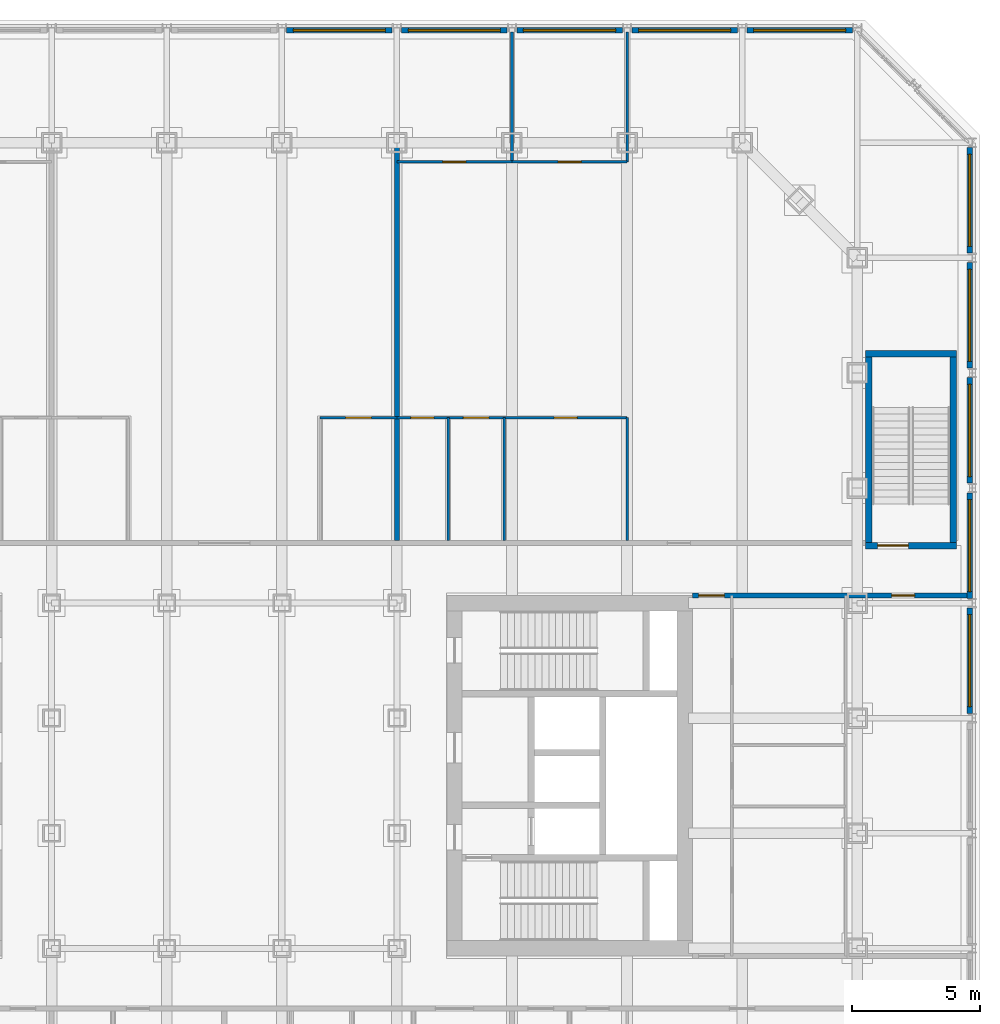
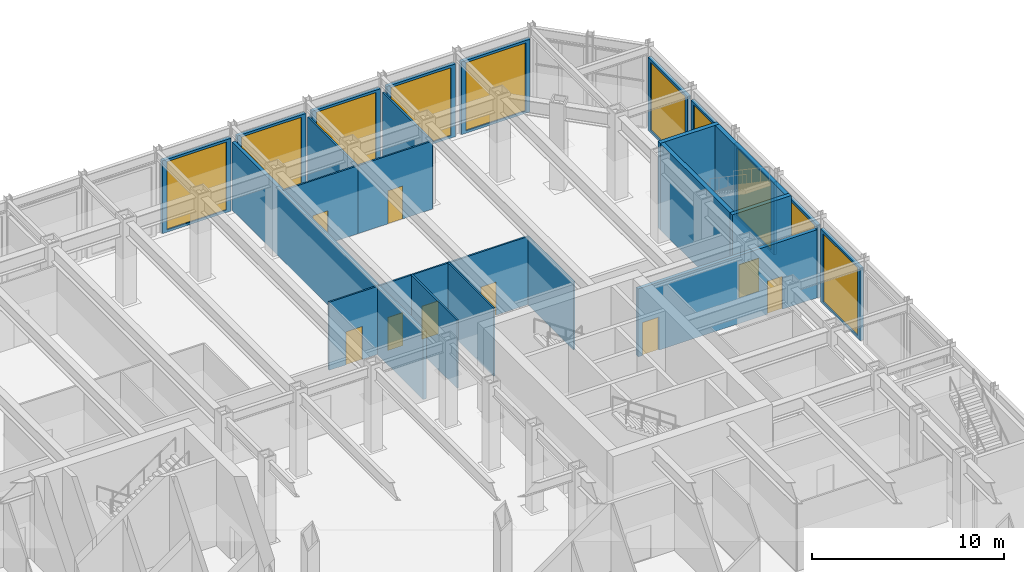
# One storey, part 15 of 19: 25 walls, 10 windows, 9 doors, 19 openings.
"""IFC4 building model written with IfcOpenShell, lengths in metres."""

from ifc_helpers import new_model, si_unit, direction, frame, frame_2d, origin, place, context, subcontext, project, spatial, rectangle, extrude, material, layer, layer_set, type_object, element, fill, save


model = new_model("IFC4")

# Units and contexts
model_context = context("Model", 3, precision=1e-05, world=origin(), true_north=direction((0.0, 1.0)))
body_context = subcontext(model_context, "Body", "Model", "MODEL_VIEW")
ifc_project = project(units=[si_unit("LENGTHUNIT", "METRE"), si_unit("AREAUNIT", "SQUARE_METRE"), si_unit("VOLUMEUNIT", "CUBIC_METRE"), si_unit("PLANEANGLEUNIT", "RADIAN"), si_unit("MASSUNIT", "GRAM", prefix="KILO")], contexts=[model_context])

# Site, building, storey
site_placement = place(None, origin())
site = spatial("IfcSite", under=ifc_project, at=site_placement, CompositionType="ELEMENT")
building_placement = place(site_placement, origin())
building = spatial("IfcBuilding", under=site, at=building_placement, Name="Msasa Ring Tower", CompositionType="ELEMENT")
storey_placement = place(building_placement, frame((0.0, 0.0, 16.0)))
storey = spatial("IfcBuildingStorey", under=building, at=storey_placement, Name="L03", CompositionType="ELEMENT", Elevation=16.0)

# Wall, opening, window
ifc_material_1 = material(Name="Terracotta rainscreen on blockwork", Category="masonry")
ifc_layer_1 = layer(ifc_material_1, 0.199951171875)
ifc_layer_set_1 = layer_set([ifc_layer_1], Name="FW2 TERRACOTTA PODIUM BAY WALL 200")
wall_type_1 = type_object("IfcWallType", Name="FW2 TERRACOTTA PODIUM BAY WALL 200", PredefinedType="SOLIDWALL", material=ifc_layer_set_1)
wall_1_placement = place(storey_placement, frame((29.14990234375, 2.437744140625, 0.0), z_axis=(0.0, 0.0, 1.0), x_axis=(0.0, 1.0, 0.0)))
wall_1 = element("IfcWall", 1, at=wall_1_placement, inside=storey, type_object=wall_type_1, Name="Podium bay wall E L03 19", PredefinedType="SOLIDWALL", context=body_context, shape_type="SweptSolid", body=[
    extrude(rectangle(XDim=4.124755859375, YDim=0.199951171875, at=frame_2d((2.0625, 0.0))), origin(), (0.0, 0.0, 1.0), 4.6328125),
])
opening_1_placement = place(wall_1_placement, frame((0.26220703125, 0.0, 0.14990234375)))
opening_1 = element("IfcOpeningElement", 2, at=opening_1_placement, cuts=wall_1, Name="Opening SF4", PredefinedType="OPENING", context=body_context, shape_type="SweptSolid", body=[
    extrude(rectangle(XDim=3.60009765625, YDim=4.3330078125, at=frame_2d((1.800048828125, 2.16650390625))), frame((0.0, 0.10986328125, 0.0), z_axis=(0.0, -1.0, 0.0), x_axis=(1.0, 0.0, 0.0)), (0.0, 0.0, 1.0), 0.219970703125),
])
ifc_material_2 = material(Name="Aluminium frame with clear glass", Category="aluminium")
window_type = type_object("IfcWindowType", Name="SF4 SHOPFRONT GLAZING 3600x4333", PartitioningType="SINGLE_PANEL", PredefinedType="WINDOW", material=ifc_material_2)
window_1_placement = place(opening_1_placement, origin())
window_1 = element("IfcWindow", 3, at=window_1_placement, inside=storey, type_object=window_type, Name="Shopfront glazing E L03 19", OverallHeight=4.3330078125, OverallWidth=3.60009765625, PartitioningType="SINGLE_PANEL", PredefinedType="WINDOW", context=body_context, shape_type="SweptSolid", body=[
    extrude(rectangle(XDim=3.60009765625, YDim=4.3330078125, at=frame_2d((1.800048828125, 2.16650390625))), frame((0.0, 0.030029296875, 0.0), z_axis=(0.0, -1.0, 0.0), x_axis=(1.0, 0.0, 0.0)), (0.0, 0.0, 1.0), 0.06005859375),
])
fill(opening_1, window_1)

wall_2_placement = place(storey_placement, frame((29.14990234375, 6.9375, 0.0), z_axis=(0.0, 0.0, 1.0), x_axis=(0.0, 1.0, 0.0)))
wall_2 = element("IfcWall", 4, at=wall_2_placement, inside=storey, type_object=wall_type_1, Name="Podium bay wall E L03 20", PredefinedType="SOLIDWALL", context=body_context, shape_type="SweptSolid", body=[
    extrude(rectangle(XDim=4.125, YDim=0.199951171875, at=frame_2d((2.0625, 0.0))), origin(), (0.0, 0.0, 1.0), 4.6328125),
])
opening_2_placement = place(wall_2_placement, frame((0.262451171875, 0.0, 0.14990234375)))
opening_2 = element("IfcOpeningElement", 5, at=opening_2_placement, cuts=wall_2, Name="Opening SF4", PredefinedType="OPENING", context=body_context, shape_type="SweptSolid", body=[
    extrude(rectangle(XDim=3.60009765625, YDim=4.3330078125, at=frame_2d((1.800048828125, 2.16650390625))), frame((0.0, 0.10986328125, 0.0), z_axis=(0.0, -1.0, 0.0), x_axis=(1.0, 0.0, 0.0)), (0.0, 0.0, 1.0), 0.219970703125),
])
window_2_placement = place(opening_2_placement, origin())
window_2 = element("IfcWindow", 6, at=window_2_placement, inside=storey, type_object=window_type, Name="Shopfront glazing E L03 20", OverallHeight=4.3330078125, OverallWidth=3.60009765625, PartitioningType="SINGLE_PANEL", PredefinedType="WINDOW", context=body_context, shape_type="SweptSolid", body=[
    extrude(rectangle(XDim=3.60009765625, YDim=4.3330078125, at=frame_2d((1.800048828125, 2.16650390625))), frame((0.0, 0.030029296875, 0.0), z_axis=(0.0, -1.0, 0.0), x_axis=(1.0, 0.0, 0.0)), (0.0, 0.0, 1.0), 0.06005859375),
])
fill(opening_2, window_2)

wall_3_placement = place(storey_placement, frame((29.14990234375, 11.4375, 0.0), z_axis=(0.0, 0.0, 1.0), x_axis=(0.0, 1.0, 0.0)))
wall_3 = element("IfcWall", 7, at=wall_3_placement, inside=storey, type_object=wall_type_1, Name="Podium bay wall E L03 21", PredefinedType="SOLIDWALL", context=body_context, shape_type="SweptSolid", body=[
    extrude(rectangle(XDim=4.125, YDim=0.199951171875, at=frame_2d((2.0625, 0.0))), origin(), (0.0, 0.0, 1.0), 4.6328125),
])
opening_3_placement = place(wall_3_placement, frame((0.262451171875, 0.0, 0.14990234375)))
opening_3 = element("IfcOpeningElement", 8, at=opening_3_placement, cuts=wall_3, Name="Opening SF4", PredefinedType="OPENING", context=body_context, shape_type="SweptSolid", body=[
    extrude(rectangle(XDim=3.60009765625, YDim=4.3330078125, at=frame_2d((1.800048828125, 2.16650390625))), frame((0.0, 0.10986328125, 0.0), z_axis=(0.0, -1.0, 0.0), x_axis=(1.0, 0.0, 0.0)), (0.0, 0.0, 1.0), 0.219970703125),
])
window_3_placement = place(opening_3_placement, origin())
window_3 = element("IfcWindow", 9, at=window_3_placement, inside=storey, type_object=window_type, Name="Shopfront glazing E L03 21", OverallHeight=4.3330078125, OverallWidth=3.60009765625, PartitioningType="SINGLE_PANEL", PredefinedType="WINDOW", context=body_context, shape_type="SweptSolid", body=[
    extrude(rectangle(XDim=3.60009765625, YDim=4.3330078125, at=frame_2d((1.800048828125, 2.16650390625))), frame((0.0, 0.030029296875, 0.0), z_axis=(0.0, -1.0, 0.0), x_axis=(1.0, 0.0, 0.0)), (0.0, 0.0, 1.0), 0.06005859375),
])
fill(opening_3, window_3)

wall_4_placement = place(storey_placement, frame((29.14990234375, 15.9375, 0.0), z_axis=(0.0, 0.0, 1.0), x_axis=(0.0, 1.0, 0.0)))
wall_4 = element("IfcWall", 10, at=wall_4_placement, inside=storey, type_object=wall_type_1, Name="Podium bay wall E L03 22", PredefinedType="SOLIDWALL", context=body_context, shape_type="SweptSolid", body=[
    extrude(rectangle(XDim=4.124755859375, YDim=0.199951171875, at=frame_2d((2.0625, 0.0))), origin(), (0.0, 0.0, 1.0), 4.6328125),
])
opening_4_placement = place(wall_4_placement, frame((0.262451171875, 0.0, 0.14990234375)))
opening_4 = element("IfcOpeningElement", 11, at=opening_4_placement, cuts=wall_4, Name="Opening SF4", PredefinedType="OPENING", context=body_context, shape_type="SweptSolid", body=[
    extrude(rectangle(XDim=3.60009765625, YDim=4.3330078125, at=frame_2d((1.800048828125, 2.16650390625))), frame((0.0, 0.10986328125, 0.0), z_axis=(0.0, -1.0, 0.0), x_axis=(1.0, 0.0, 0.0)), (0.0, 0.0, 1.0), 0.219970703125),
])
window_4_placement = place(opening_4_placement, origin())
window_4 = element("IfcWindow", 12, at=window_4_placement, inside=storey, type_object=window_type, Name="Shopfront glazing E L03 22", OverallHeight=4.3330078125, OverallWidth=3.60009765625, PartitioningType="SINGLE_PANEL", PredefinedType="WINDOW", context=body_context, shape_type="SweptSolid", body=[
    extrude(rectangle(XDim=3.60009765625, YDim=4.3330078125, at=frame_2d((1.800048828125, 2.16650390625))), frame((0.0, 0.030029296875, 0.0), z_axis=(0.0, -1.0, 0.0), x_axis=(1.0, 0.0, 0.0)), (0.0, 0.0, 1.0), 0.06005859375),
])
fill(opening_4, window_4)

wall_5_placement = place(storey_placement, frame((29.14990234375, 20.437744140625, 0.0), z_axis=(0.0, 0.0, 1.0), x_axis=(0.0, 1.0, 0.0)))
wall_5 = element("IfcWall", 13, at=wall_5_placement, inside=storey, type_object=wall_type_1, Name="Podium bay wall E L03 23", PredefinedType="SOLIDWALL", context=body_context, shape_type="SweptSolid", body=[
    extrude(rectangle(XDim=4.12451171875, YDim=0.199951171875, at=frame_2d((2.062255859375, 0.0))), origin(), (0.0, 0.0, 1.0), 4.6328125),
])
opening_5_placement = place(wall_5_placement, frame((0.26220703125, 0.0, 0.14990234375)))
opening_5 = element("IfcOpeningElement", 14, at=opening_5_placement, cuts=wall_5, Name="Opening SF4", PredefinedType="OPENING", context=body_context, shape_type="SweptSolid", body=[
    extrude(rectangle(XDim=3.60009765625, YDim=4.3330078125, at=frame_2d((1.800048828125, 2.16650390625))), frame((0.0, 0.10986328125, 0.0), z_axis=(0.0, -1.0, 0.0), x_axis=(1.0, 0.0, 0.0)), (0.0, 0.0, 1.0), 0.219970703125),
])
window_5_placement = place(opening_5_placement, origin())
window_5 = element("IfcWindow", 15, at=window_5_placement, inside=storey, type_object=window_type, Name="Shopfront glazing E L03 23", OverallHeight=4.3330078125, OverallWidth=3.60009765625, PartitioningType="SINGLE_PANEL", PredefinedType="WINDOW", context=body_context, shape_type="SweptSolid", body=[
    extrude(rectangle(XDim=3.60009765625, YDim=4.3330078125, at=frame_2d((1.800048828125, 2.16650390625))), frame((0.0, 0.030029296875, 0.0), z_axis=(0.0, -1.0, 0.0), x_axis=(1.0, 0.0, 0.0)), (0.0, 0.0, 1.0), 0.06005859375),
])
fill(opening_5, window_5)

wall_6_placement = place(storey_placement, frame((2.437744140625, 29.14990234375, 0.0), z_axis=(0.0, 0.0, 1.0), x_axis=(1.0, 0.0, 0.0)))
wall_6 = element("IfcWall", 16, at=wall_6_placement, inside=storey, type_object=wall_type_1, Name="Podium bay wall N L03 32", PredefinedType="SOLIDWALL", context=body_context, shape_type="SweptSolid", body=[
    extrude(rectangle(XDim=4.124755859375, YDim=0.199951171875, at=frame_2d((2.0625, 0.0))), origin(), (0.0, 0.0, 1.0), 4.6328125),
])
opening_6_placement = place(wall_6_placement, frame((0.26220703125, 0.0, 0.14990234375)))
opening_6 = element("IfcOpeningElement", 17, at=opening_6_placement, cuts=wall_6, Name="Opening SF4", PredefinedType="OPENING", context=body_context, shape_type="SweptSolid", body=[
    extrude(rectangle(XDim=3.60009765625, YDim=4.3330078125, at=frame_2d((1.800048828125, 2.16650390625))), frame((0.0, 0.10986328125, 0.0), z_axis=(0.0, -1.0, 0.0), x_axis=(1.0, 0.0, 0.0)), (0.0, 0.0, 1.0), 0.219970703125),
])
window_6_placement = place(opening_6_placement, origin())
window_6 = element("IfcWindow", 18, at=window_6_placement, inside=storey, type_object=window_type, Name="Shopfront glazing N L03 32", OverallHeight=4.3330078125, OverallWidth=3.60009765625, PartitioningType="SINGLE_PANEL", PredefinedType="WINDOW", context=body_context, shape_type="SweptSolid", body=[
    extrude(rectangle(XDim=3.60009765625, YDim=4.3330078125, at=frame_2d((1.800048828125, 2.16650390625))), frame((0.0, 0.030029296875, 0.0), z_axis=(0.0, -1.0, 0.0), x_axis=(1.0, 0.0, 0.0)), (0.0, 0.0, 1.0), 0.06005859375),
])
fill(opening_6, window_6)

wall_7_placement = place(storey_placement, frame((6.9375, 29.14990234375, 0.0), z_axis=(0.0, 0.0, 1.0), x_axis=(1.0, 0.0, 0.0)))
wall_7 = element("IfcWall", 19, at=wall_7_placement, inside=storey, type_object=wall_type_1, Name="Podium bay wall N L03 33", PredefinedType="SOLIDWALL", context=body_context, shape_type="SweptSolid", body=[
    extrude(rectangle(XDim=4.125, YDim=0.199951171875, at=frame_2d((2.0625, 0.0))), origin(), (0.0, 0.0, 1.0), 4.6328125),
])
opening_7_placement = place(wall_7_placement, frame((0.262451171875, 0.0, 0.14990234375)))
opening_7 = element("IfcOpeningElement", 20, at=opening_7_placement, cuts=wall_7, Name="Opening SF4", PredefinedType="OPENING", context=body_context, shape_type="SweptSolid", body=[
    extrude(rectangle(XDim=3.60009765625, YDim=4.3330078125, at=frame_2d((1.800048828125, 2.16650390625))), frame((0.0, 0.10986328125, 0.0), z_axis=(0.0, -1.0, 0.0), x_axis=(1.0, 0.0, 0.0)), (0.0, 0.0, 1.0), 0.219970703125),
])
window_7_placement = place(opening_7_placement, origin())
window_7 = element("IfcWindow", 21, at=window_7_placement, inside=storey, type_object=window_type, Name="Shopfront glazing N L03 33", OverallHeight=4.3330078125, OverallWidth=3.60009765625, PartitioningType="SINGLE_PANEL", PredefinedType="WINDOW", context=body_context, shape_type="SweptSolid", body=[
    extrude(rectangle(XDim=3.60009765625, YDim=4.3330078125, at=frame_2d((1.800048828125, 2.16650390625))), frame((0.0, 0.030029296875, 0.0), z_axis=(0.0, -1.0, 0.0), x_axis=(1.0, 0.0, 0.0)), (0.0, 0.0, 1.0), 0.06005859375),
])
fill(opening_7, window_7)

wall_8_placement = place(storey_placement, frame((11.4375, 29.14990234375, 0.0), z_axis=(0.0, 0.0, 1.0), x_axis=(1.0, 0.0, 0.0)))
wall_8 = element("IfcWall", 22, at=wall_8_placement, inside=storey, type_object=wall_type_1, Name="Podium bay wall N L03 34", PredefinedType="SOLIDWALL", context=body_context, shape_type="SweptSolid", body=[
    extrude(rectangle(XDim=4.125, YDim=0.199951171875, at=frame_2d((2.0625, 0.0))), origin(), (0.0, 0.0, 1.0), 4.6328125),
])
opening_8_placement = place(wall_8_placement, frame((0.262451171875, 0.0, 0.14990234375)))
opening_8 = element("IfcOpeningElement", 23, at=opening_8_placement, cuts=wall_8, Name="Opening SF4", PredefinedType="OPENING", context=body_context, shape_type="SweptSolid", body=[
    extrude(rectangle(XDim=3.60009765625, YDim=4.3330078125, at=frame_2d((1.800048828125, 2.16650390625))), frame((0.0, 0.10986328125, 0.0), z_axis=(0.0, -1.0, 0.0), x_axis=(1.0, 0.0, 0.0)), (0.0, 0.0, 1.0), 0.219970703125),
])
window_8_placement = place(opening_8_placement, origin())
window_8 = element("IfcWindow", 24, at=window_8_placement, inside=storey, type_object=window_type, Name="Shopfront glazing N L03 34", OverallHeight=4.3330078125, OverallWidth=3.60009765625, PartitioningType="SINGLE_PANEL", PredefinedType="WINDOW", context=body_context, shape_type="SweptSolid", body=[
    extrude(rectangle(XDim=3.60009765625, YDim=4.3330078125, at=frame_2d((1.800048828125, 2.16650390625))), frame((0.0, 0.030029296875, 0.0), z_axis=(0.0, -1.0, 0.0), x_axis=(1.0, 0.0, 0.0)), (0.0, 0.0, 1.0), 0.06005859375),
])
fill(opening_8, window_8)

wall_9_placement = place(storey_placement, frame((15.9375, 29.14990234375, 0.0), z_axis=(0.0, 0.0, 1.0), x_axis=(1.0, 0.0, 0.0)))
wall_9 = element("IfcWall", 25, at=wall_9_placement, inside=storey, type_object=wall_type_1, Name="Podium bay wall N L03 35", PredefinedType="SOLIDWALL", context=body_context, shape_type="SweptSolid", body=[
    extrude(rectangle(XDim=4.124755859375, YDim=0.199951171875, at=frame_2d((2.0625, 0.0))), origin(), (0.0, 0.0, 1.0), 4.6328125),
])
opening_9_placement = place(wall_9_placement, frame((0.262451171875, 0.0, 0.14990234375)))
opening_9 = element("IfcOpeningElement", 26, at=opening_9_placement, cuts=wall_9, Name="Opening SF4", PredefinedType="OPENING", context=body_context, shape_type="SweptSolid", body=[
    extrude(rectangle(XDim=3.60009765625, YDim=4.3330078125, at=frame_2d((1.800048828125, 2.16650390625))), frame((0.0, 0.10986328125, 0.0), z_axis=(0.0, -1.0, 0.0), x_axis=(1.0, 0.0, 0.0)), (0.0, 0.0, 1.0), 0.219970703125),
])
window_9_placement = place(opening_9_placement, origin())
window_9 = element("IfcWindow", 27, at=window_9_placement, inside=storey, type_object=window_type, Name="Shopfront glazing N L03 35", OverallHeight=4.3330078125, OverallWidth=3.60009765625, PartitioningType="SINGLE_PANEL", PredefinedType="WINDOW", context=body_context, shape_type="SweptSolid", body=[
    extrude(rectangle(XDim=3.60009765625, YDim=4.3330078125, at=frame_2d((1.800048828125, 2.16650390625))), frame((0.0, 0.030029296875, 0.0), z_axis=(0.0, -1.0, 0.0), x_axis=(1.0, 0.0, 0.0)), (0.0, 0.0, 1.0), 0.06005859375),
])
fill(opening_9, window_9)

wall_10_placement = place(storey_placement, frame((20.437744140625, 29.14990234375, 0.0), z_axis=(0.0, 0.0, 1.0), x_axis=(1.0, 0.0, 0.0)))
wall_10 = element("IfcWall", 28, at=wall_10_placement, inside=storey, type_object=wall_type_1, Name="Podium bay wall N L03 36", PredefinedType="SOLIDWALL", context=body_context, shape_type="SweptSolid", body=[
    extrude(rectangle(XDim=4.12451171875, YDim=0.199951171875, at=frame_2d((2.062255859375, 0.0))), origin(), (0.0, 0.0, 1.0), 4.6328125),
])
opening_10_placement = place(wall_10_placement, frame((0.26220703125, 0.0, 0.14990234375)))
opening_10 = element("IfcOpeningElement", 29, at=opening_10_placement, cuts=wall_10, Name="Opening SF4", PredefinedType="OPENING", context=body_context, shape_type="SweptSolid", body=[
    extrude(rectangle(XDim=3.60009765625, YDim=4.3330078125, at=frame_2d((1.800048828125, 2.16650390625))), frame((0.0, 0.10986328125, 0.0), z_axis=(0.0, -1.0, 0.0), x_axis=(1.0, 0.0, 0.0)), (0.0, 0.0, 1.0), 0.219970703125),
])
window_10_placement = place(opening_10_placement, origin())
window_10 = element("IfcWindow", 30, at=window_10_placement, inside=storey, type_object=window_type, Name="Shopfront glazing N L03 36", OverallHeight=4.3330078125, OverallWidth=3.60009765625, PartitioningType="SINGLE_PANEL", PredefinedType="WINDOW", context=body_context, shape_type="SweptSolid", body=[
    extrude(rectangle(XDim=3.60009765625, YDim=4.3330078125, at=frame_2d((1.800048828125, 2.16650390625))), frame((0.0, 0.030029296875, 0.0), z_axis=(0.0, -1.0, 0.0), x_axis=(1.0, 0.0, 0.0)), (0.0, 0.0, 1.0), 0.06005859375),
])
fill(opening_10, window_10)

# Wall, openings, doors
ifc_material_3 = material(Name="Concrete blockwork", Category="masonry")
ifc_layer_2 = layer(ifc_material_3, 0.199951171875)
ifc_layer_set_2 = layer_set([ifc_layer_2], Name="PT1 CORRIDOR WALL 200")
wall_type_2 = type_object("IfcWallType", Name="PT1 CORRIDOR WALL 200", PredefinedType="PARTITIONING", material=ifc_layer_set_2)
wall_11_placement = place(storey_placement, frame((18.300048828125, 7.050048828125, 0.0), z_axis=(0.0, 0.0, 1.0), x_axis=(1.0, 0.0, 0.0)))
wall_11 = element("IfcWall", 31, at=wall_11_placement, inside=storey, type_object=wall_type_2, Name="Corridor wall L03-STREN", PredefinedType="PARTITIONING", context=body_context, shape_type="SweptSolid", body=[
    extrude(rectangle(XDim=10.75, YDim=0.199951171875, at=frame_2d((5.375, 0.0))), origin(), (0.0, 0.0, 1.0), 4.3291015625),
])
opening_11_placement = place(wall_11_placement, frame((7.797607421875, 0.0, 0.0)))
opening_11 = element("IfcOpeningElement", 32, at=opening_11_placement, cuts=wall_11, Name="Opening L03-021", PredefinedType="OPENING", context=body_context, shape_type="SweptSolid", body=[
    extrude(rectangle(XDim=0.89990234375, YDim=2.10009765625, at=frame_2d((0.449951171875, 1.050048828125))), frame((0.0, 0.10986328125, 0.0), z_axis=(0.0, -1.0, 0.0), x_axis=(1.0, 0.0, 0.0)), (0.0, 0.0, 1.0), 0.219970703125),
])
opening_12_placement = place(wall_11_placement, frame((0.25, 0.0, 0.0)))
opening_12 = element("IfcOpeningElement", 33, at=opening_12_placement, cuts=wall_11, Name="Opening L03-020", PredefinedType="OPENING", context=body_context, shape_type="SweptSolid", body=[
    extrude(rectangle(XDim=1.0, YDim=2.10009765625, at=frame_2d((0.5, 1.050048828125))), frame((0.0, 0.10986328125, 0.0), z_axis=(0.0, -1.0, 0.0), x_axis=(1.0, 0.0, 0.0)), (0.0, 0.0, 1.0), 0.219970703125),
])
ifc_material_4 = material(Name="Timber door leaf in a steel frame", Category="steel")
door_type_1 = type_object("IfcDoorType", Name="D1 SINGLE DOOR TO CORRIDOR 900x2100", OperationType="SINGLE_SWING_LEFT", PredefinedType="DOOR", material=ifc_material_4)
door_1_placement = place(opening_11_placement, origin())
door_1 = element("IfcDoor", 34, at=door_1_placement, inside=storey, type_object=door_type_1, Name="Door L03-WOE", OperationType="SINGLE_SWING_RIGHT", OverallHeight=2.10009765625, OverallWidth=0.89990234375, PredefinedType="DOOR", context=body_context, shape_type="SweptSolid", body=[
    extrude(rectangle(XDim=0.89990234375, YDim=2.10009765625, at=frame_2d((0.449951171875, 1.050048828125))), frame((0.0, 0.02490234375, 0.0), z_axis=(0.0, -1.0, 0.0), x_axis=(1.0, 0.0, 0.0)), (0.0, 0.0, 1.0), 0.050048828125),
])
fill(opening_11, door_1)
ifc_material_5 = material(Name="Timber door leaf in a steel frame", Category="steel")
door_type_2 = type_object("IfcDoorType", Name="D12 WC DOOR 1000x2100", OperationType="SINGLE_SWING_LEFT", PredefinedType="DOOR", material=ifc_material_5)
door_2_placement = place(opening_12_placement, origin())
door_2 = element("IfcDoor", 35, at=door_2_placement, inside=storey, type_object=door_type_2, Name="Door L03-WLEN", OperationType="SINGLE_SWING_LEFT", OverallHeight=2.10009765625, OverallWidth=1.0, PredefinedType="DOOR", context=body_context, shape_type="SweptSolid", body=[
    extrude(rectangle(XDim=1.0, YDim=2.10009765625, at=frame_2d((0.5, 1.050048828125))), frame((0.0, 0.02490234375, 0.0), z_axis=(0.0, -1.0, 0.0), x_axis=(1.0, 0.0, 0.0)), (0.0, 0.0, 1.0), 0.050048828125),
])
fill(opening_12, door_2)

# Wall, opening, door
ifc_material_6 = material(Name="Gypsum board on steel studs", Category="steel")
ifc_layer_3 = layer(ifc_material_6, 0.10009765625)
ifc_layer_set_3 = layer_set([ifc_layer_3], Name="PT2 STUD PARTITION 100")
wall_type_3 = type_object("IfcWallType", Name="PT2 STUD PARTITION 100", PredefinedType="PARTITIONING", material=ifc_layer_set_3)
wall_12_placement = place(storey_placement, frame((3.75, 14.0, 0.0), z_axis=(0.0, 0.0, 1.0), x_axis=(1.0, 0.0, 0.0)))
wall_12 = element("IfcWall", 36, at=wall_12_placement, inside=storey, type_object=wall_type_3, Name="Partition L03-PDN1BY1", PredefinedType="PARTITIONING", context=body_context, shape_type="SweptSolid", body=[
    extrude(rectangle(XDim=3.0, YDim=0.10009765625, at=frame_2d((1.5, 0.0))), origin(), (0.0, 0.0, 1.0), 4.3291015625),
])
opening_13_placement = place(wall_12_placement, frame((1.0, 0.0, 0.0)))
opening_13 = element("IfcOpeningElement", 37, at=opening_13_placement, cuts=wall_12, Name="Opening L03-009", PredefinedType="OPENING", context=body_context, shape_type="SweptSolid", body=[
    extrude(rectangle(XDim=1.0, YDim=2.10009765625, at=frame_2d((0.5, 1.050048828125))), frame((0.0, 0.06005859375, 0.0), z_axis=(0.0, -1.0, 0.0), x_axis=(1.0, 0.0, 0.0)), (0.0, 0.0, 1.0), 0.1201171875),
])
ifc_material_7 = material(Name="Timber door leaf in a steel frame", Category="steel")
door_type_3 = type_object("IfcDoorType", Name="D27 INTERNAL STORE DOOR 1000x2100", OperationType="SINGLE_SWING_LEFT", PredefinedType="DOOR", material=ifc_material_7)
door_3_placement = place(opening_13_placement, origin())
door_3 = element("IfcDoor", 38, at=door_3_placement, inside=storey, type_object=door_type_3, Name="Door L03-PDN1B1", OperationType="SINGLE_SWING_LEFT", OverallHeight=2.10009765625, OverallWidth=1.0, PredefinedType="DOOR", context=body_context, shape_type="SweptSolid", body=[
    extrude(rectangle(XDim=1.0, YDim=2.10009765625, at=frame_2d((0.5, 1.050048828125))), frame((0.0, 0.02490234375, 0.0), z_axis=(0.0, -1.0, 0.0), x_axis=(1.0, 0.0, 0.0)), (0.0, 0.0, 1.0), 0.050048828125),
])
fill(opening_13, door_3)

# Wall, openings, doors
wall_13_placement = place(storey_placement, frame((6.75, 14.0, 0.0), z_axis=(0.0, 0.0, 1.0), x_axis=(1.0, 0.0, 0.0)))
wall_13 = element("IfcWall", 39, at=wall_13_placement, inside=storey, type_object=wall_type_3, Name="Partition L03-PDN2BY", PredefinedType="PARTITIONING", context=body_context, shape_type="SweptSolid", body=[
    extrude(rectangle(XDim=9.0, YDim=0.10009765625, at=frame_2d((4.5, 0.0))), origin(), (0.0, 0.0, 1.0), 4.3291015625),
])
opening_14_placement = place(wall_13_placement, frame((6.14990234375, 0.0, 0.0)))
opening_14 = element("IfcOpeningElement", 40, at=opening_14_placement, cuts=wall_13, Name="Opening L03-012", PredefinedType="OPENING", context=body_context, shape_type="SweptSolid", body=[
    extrude(rectangle(XDim=0.89990234375, YDim=2.10009765625, at=frame_2d((0.449951171875, 1.050048828125))), frame((0.0, 0.06005859375, 0.0), z_axis=(0.0, -1.0, 0.0), x_axis=(1.0, 0.0, 0.0)), (0.0, 0.0, 1.0), 0.1201171875),
])
opening_15_placement = place(wall_13_placement, frame((2.60009765625, 0.0, 0.0)))
opening_15 = element("IfcOpeningElement", 41, at=opening_15_placement, cuts=wall_13, Name="Opening L03-011", PredefinedType="OPENING", context=body_context, shape_type="SweptSolid", body=[
    extrude(rectangle(XDim=1.0, YDim=2.10009765625, at=frame_2d((0.5, 1.050048828125))), frame((0.0, 0.06005859375, 0.0), z_axis=(0.0, -1.0, 0.0), x_axis=(1.0, 0.0, 0.0)), (0.0, 0.0, 1.0), 0.1201171875),
])
opening_16_placement = place(wall_13_placement, frame((0.550048828125, 0.0, 0.0)))
opening_16 = element("IfcOpeningElement", 42, at=opening_16_placement, cuts=wall_13, Name="Opening L03-010", PredefinedType="OPENING", context=body_context, shape_type="SweptSolid", body=[
    extrude(rectangle(XDim=0.89990234375, YDim=2.10009765625, at=frame_2d((0.449951171875, 1.050048828125))), frame((0.0, 0.06005859375, 0.0), z_axis=(0.0, -1.0, 0.0), x_axis=(1.0, 0.0, 0.0)), (0.0, 0.0, 1.0), 0.1201171875),
])
ifc_material_8 = material(Name="Timber door leaf in a steel frame", Category="steel")
door_type_4 = type_object("IfcDoorType", Name="D22 INTERNAL HALL DOOR 900x2100", OperationType="SINGLE_SWING_LEFT", PredefinedType="DOOR", material=ifc_material_8)
door_4_placement = place(opening_14_placement, origin())
door_4 = element("IfcDoor", 43, at=door_4_placement, inside=storey, type_object=door_type_4, Name="Door L03-PDN2B0", OperationType="SINGLE_SWING_RIGHT", OverallHeight=2.10009765625, OverallWidth=0.89990234375, PredefinedType="DOOR", context=body_context, shape_type="SweptSolid", body=[
    extrude(rectangle(XDim=0.89990234375, YDim=2.10009765625, at=frame_2d((0.449951171875, 1.050048828125))), frame((0.0, 0.02490234375, 0.0), z_axis=(0.0, -1.0, 0.0), x_axis=(1.0, 0.0, 0.0)), (0.0, 0.0, 1.0), 0.050048828125),
])
fill(opening_14, door_4)
door_5_placement = place(opening_16_placement, origin())
door_5 = element("IfcDoor", 44, at=door_5_placement, inside=storey, type_object=door_type_4, Name="Door L03-PDN2B2", OperationType="SINGLE_SWING_LEFT", OverallHeight=2.10009765625, OverallWidth=0.89990234375, PredefinedType="DOOR", context=body_context, shape_type="SweptSolid", body=[
    extrude(rectangle(XDim=0.89990234375, YDim=2.10009765625, at=frame_2d((0.449951171875, 1.050048828125))), frame((0.0, 0.02490234375, 0.0), z_axis=(0.0, -1.0, 0.0), x_axis=(1.0, 0.0, 0.0)), (0.0, 0.0, 1.0), 0.050048828125),
])
fill(opening_16, door_5)
door_6_placement = place(opening_15_placement, origin())
door_6 = element("IfcDoor", 45, at=door_6_placement, inside=storey, type_object=door_type_3, Name="Door L03-PDN2B1", OperationType="SINGLE_SWING_LEFT", OverallHeight=2.10009765625, OverallWidth=1.0, PredefinedType="DOOR", context=body_context, shape_type="SweptSolid", body=[
    extrude(rectangle(XDim=1.0, YDim=2.10009765625, at=frame_2d((0.5, 1.050048828125))), frame((0.0, 0.02490234375, 0.0), z_axis=(0.0, -1.0, 0.0), x_axis=(1.0, 0.0, 0.0)), (0.0, 0.0, 1.0), 0.050048828125),
])
fill(opening_15, door_6)

# Walls
for number, where, z_axis, x_axis, name in (
    (46, (8.75, 9.199951171875, 0.0), (0.0, 0.0, 1.0), (0.0, 1.0, 0.0), "Partition L03-PDN2BX+8.75"),
    (47, (10.949951171875, 9.199951171875, 0.0), (0.0, 0.0, 1.0), (0.0, 1.0, 0.0), "Partition L03-PDN2BX+10.95"),
    (48, (15.75, 9.199951171875, 0.0), (0.0, 0.0, 1.0), (0.0, 1.0, 0.0), "Partition L03-PDN2BX+15.75"),
):
    element("IfcWall", number, at=place(storey_placement, frame(where, z_axis=z_axis, x_axis=x_axis)), inside=storey, type_object=wall_type_3, Name=name, PredefinedType="PARTITIONING", context=body_context, shape_type="SweptSolid", body=[
        extrude(rectangle(XDim=4.800048828125, YDim=0.10009765625, at=frame_2d((2.39990234375, 0.0))), origin(), (0.0, 0.0, 1.0), 4.3291015625),
    ])
for number, where, z_axis, x_axis, name in (
    (49, (11.25, 24.0, 0.0), (0.0, 0.0, 1.0), (0.0, 1.0, 0.0), "Partition L03-PDN2FX+11.25"),
    (50, (15.75, 24.0, 0.0), (0.0, 0.0, 1.0), (0.0, 1.0, 0.0), "Partition L03-PDN2FX+15.75"),
):
    element("IfcWall", number, at=place(storey_placement, frame(where, z_axis=z_axis, x_axis=x_axis)), inside=storey, type_object=wall_type_3, Name=name, PredefinedType="PARTITIONING", context=body_context, shape_type="SweptSolid", body=[
        extrude(rectangle(XDim=5.0888671875, YDim=0.10009765625, at=frame_2d((2.54443359375, 0.0))), origin(), (0.0, 0.0, 1.0), 4.3291015625),
    ])

# Wall, opening, door
wall_14_placement = place(storey_placement, frame((11.25, 24.0, 0.0), z_axis=(0.0, 0.0, 1.0), x_axis=(1.0, 0.0, 0.0)))
wall_14 = element("IfcWall", 51, at=wall_14_placement, inside=storey, type_object=wall_type_3, Name="Partition L03-PDN2FY0", PredefinedType="PARTITIONING", context=body_context, shape_type="SweptSolid", body=[
    extrude(rectangle(XDim=4.5, YDim=0.10009765625, at=frame_2d((2.25, 0.0))), origin(), (0.0, 0.0, 1.0), 4.3291015625),
])
opening_17_placement = place(wall_14_placement, frame((1.800048828125, 0.0, 0.0)))
opening_17 = element("IfcOpeningElement", 52, at=opening_17_placement, cuts=wall_14, Name="Opening L03-004", PredefinedType="OPENING", context=body_context, shape_type="SweptSolid", body=[
    extrude(rectangle(XDim=0.89990234375, YDim=2.10009765625, at=frame_2d((0.449951171875, 1.050048828125))), frame((0.0, 0.06005859375, 0.0), z_axis=(0.0, -1.0, 0.0), x_axis=(1.0, 0.0, 0.0)), (0.0, 0.0, 1.0), 0.1201171875),
])
door_7_placement = place(opening_17_placement, origin())
door_7 = element("IfcDoor", 53, at=door_7_placement, inside=storey, type_object=door_type_4, Name="Door L03-PDN2F0", OperationType="SINGLE_SWING_LEFT", OverallHeight=2.10009765625, OverallWidth=0.89990234375, PredefinedType="DOOR", context=body_context, shape_type="SweptSolid", body=[
    extrude(rectangle(XDim=0.89990234375, YDim=2.10009765625, at=frame_2d((0.449951171875, 1.050048828125))), frame((0.0, 0.02490234375, 0.0), z_axis=(0.0, -1.0, 0.0), x_axis=(1.0, 0.0, 0.0)), (0.0, 0.0, 1.0), 0.050048828125),
])
fill(opening_17, door_7)

wall_15_placement = place(storey_placement, frame((6.75, 24.0, 0.0), z_axis=(0.0, 0.0, 1.0), x_axis=(1.0, 0.0, 0.0)))
wall_15 = element("IfcWall", 54, at=wall_15_placement, inside=storey, type_object=wall_type_3, Name="Partition L03-PDN2FY1", PredefinedType="PARTITIONING", context=body_context, shape_type="SweptSolid", body=[
    extrude(rectangle(XDim=4.5, YDim=0.10009765625, at=frame_2d((2.25, 0.0))), origin(), (0.0, 0.0, 1.0), 4.3291015625),
])
opening_18_placement = place(wall_15_placement, frame((1.800048828125, 0.0, 0.0)))
opening_18 = element("IfcOpeningElement", 55, at=opening_18_placement, cuts=wall_15, Name="Opening L03-003", PredefinedType="OPENING", context=body_context, shape_type="SweptSolid", body=[
    extrude(rectangle(XDim=0.89990234375, YDim=2.10009765625, at=frame_2d((0.449951171875, 1.050048828125))), frame((0.0, 0.06005859375, 0.0), z_axis=(0.0, -1.0, 0.0), x_axis=(1.0, 0.0, 0.0)), (0.0, 0.0, 1.0), 0.1201171875),
])
door_8_placement = place(opening_18_placement, origin())
door_8 = element("IfcDoor", 56, at=door_8_placement, inside=storey, type_object=door_type_4, Name="Door L03-PDN2F1", OperationType="SINGLE_SWING_LEFT", OverallHeight=2.10009765625, OverallWidth=0.89990234375, PredefinedType="DOOR", context=body_context, shape_type="SweptSolid", body=[
    extrude(rectangle(XDim=0.89990234375, YDim=2.10009765625, at=frame_2d((0.449951171875, 1.050048828125))), frame((0.0, 0.02490234375, 0.0), z_axis=(0.0, -1.0, 0.0), x_axis=(1.0, 0.0, 0.0)), (0.0, 0.0, 1.0), 0.050048828125),
])
fill(opening_18, door_8)

# Wall
ifc_material_9 = material(Name="Dense concrete blockwork, plastered both faces", Category="masonry")
ifc_layer_4 = layer(ifc_material_9, 0.25)
ifc_layer_set_4 = layer_set([ifc_layer_4], Name="PT3 APARTMENT SEPARATING WALL 250")
wall_type_4 = type_object("IfcWallType", Name="PT3 APARTMENT SEPARATING WALL 250", PredefinedType="PARTITIONING", material=ifc_layer_set_4)
wall_16_placement = place(storey_placement, frame((6.75, 9.199951171875, 0.0), z_axis=(0.0, 0.0, 1.0), x_axis=(0.0, 1.0, 0.0)))
element("IfcWall", 57, at=wall_16_placement, inside=storey, type_object=wall_type_4, Name="Party wall L03-PWN+6.75", PredefinedType="PARTITIONING", context=body_context, shape_type="SweptSolid", body=[
    extrude(rectangle(XDim=19.888916015625, YDim=0.199951171875, at=frame_2d((9.9443359375, 0.0))), origin(), (0.0, 0.0, 1.0), 4.3291015625),
])

# Wall, opening, door
ifc_material_10 = material(Name="Concrete C60/75", Category="concrete")
ifc_layer_5 = layer(ifc_material_10, 0.25)
ifc_layer_set_5 = layer_set([ifc_layer_5], Name="SW1 STAIR WALL 250")
wall_type_5 = type_object("IfcWallType", Name="SW1 STAIR WALL 250", PredefinedType="SHEAR", material=ifc_layer_set_5)
wall_17_placement = place(storey_placement, frame((25.074951171875, 9.0, 0.0), z_axis=(0.0, 0.0, 1.0), x_axis=(1.0, 0.0, 0.0)))
wall_17 = element("IfcWall", 58, at=wall_17_placement, inside=storey, type_object=wall_type_5, Name="Podium stair EN wall S L03", PredefinedType="SHEAR", context=body_context, shape_type="SweptSolid", body=[
    extrude(rectangle(XDim=3.550048828125, YDim=0.25, at=frame_2d((1.77490234375, 0.0))), origin(), (0.0, 0.0, 1.0), 5.5),
])
opening_19_placement = place(wall_17_placement, frame((0.47509765625, 0.0, 0.0)))
opening_19 = element("IfcOpeningElement", 59, at=opening_19_placement, cuts=wall_17, Name="Opening L03-017", PredefinedType="OPENING", context=body_context, shape_type="SweptSolid", body=[
    extrude(rectangle(XDim=1.199951171875, YDim=2.10009765625, at=frame_2d((0.60009765625, 1.050048828125))), frame((0.0, 0.135009765625, 0.0), z_axis=(0.0, -1.0, 0.0), x_axis=(1.0, 0.0, 0.0)), (0.0, 0.0, 1.0), 0.27001953125),
])
ifc_material_11 = material(Name="Timber door leaf in a steel frame", Category="steel")
door_type_5 = type_object("IfcDoorType", Name="D7 WIDE STAIR DOOR 1200x2100", OperationType="SINGLE_SWING_LEFT", PredefinedType="DOOR", material=ifc_material_11)
door_9_placement = place(opening_19_placement, origin())
door_9 = element("IfcDoor", 60, at=door_9_placement, inside=storey, type_object=door_type_5, Name="Door L03-PSTEN", OperationType="SINGLE_SWING_LEFT", OverallHeight=2.10009765625, OverallWidth=1.199951171875, PredefinedType="DOOR", context=body_context, shape_type="SweptSolid", body=[
    extrude(rectangle(XDim=1.199951171875, YDim=2.10009765625, at=frame_2d((0.60009765625, 1.050048828125))), frame((0.0, 0.02490234375, 0.0), z_axis=(0.0, -1.0, 0.0), x_axis=(1.0, 0.0, 0.0)), (0.0, 0.0, 1.0), 0.050048828125),
])
fill(opening_19, door_9)

# Walls
wall_18_placement = place(storey_placement, frame((25.074951171875, 16.5, 0.0), z_axis=(0.0, 0.0, 1.0), x_axis=(1.0, 0.0, 0.0)))
element("IfcWall", 61, at=wall_18_placement, inside=storey, type_object=wall_type_5, Name="Podium stair EN wall N L03", PredefinedType="SHEAR", context=body_context, shape_type="SweptSolid", body=[
    extrude(rectangle(XDim=3.550048828125, YDim=0.25, at=frame_2d((1.77490234375, 0.0))), origin(), (0.0, 0.0, 1.0), 5.5),
])
for number, where, z_axis, x_axis, name in (
    (62, (25.199951171875, 9.125, 0.0), (0.0, 0.0, 1.0), (0.0, 1.0, 0.0), "Podium stair EN wall W L03"),
    (63, (28.5, 9.125, 0.0), (0.0, 0.0, 1.0), (0.0, 1.0, 0.0), "Podium stair EN wall E L03"),
):
    element("IfcWall", number, at=place(storey_placement, frame(where, z_axis=z_axis, x_axis=x_axis)), inside=storey, type_object=wall_type_5, Name=name, PredefinedType="SHEAR", context=body_context, shape_type="SweptSolid", body=[
        extrude(rectangle(XDim=7.25, YDim=0.25, at=frame_2d((3.625, 0.0))), origin(), (0.0, 0.0, 1.0), 5.5),
    ])

save(model, "model.ifc")
